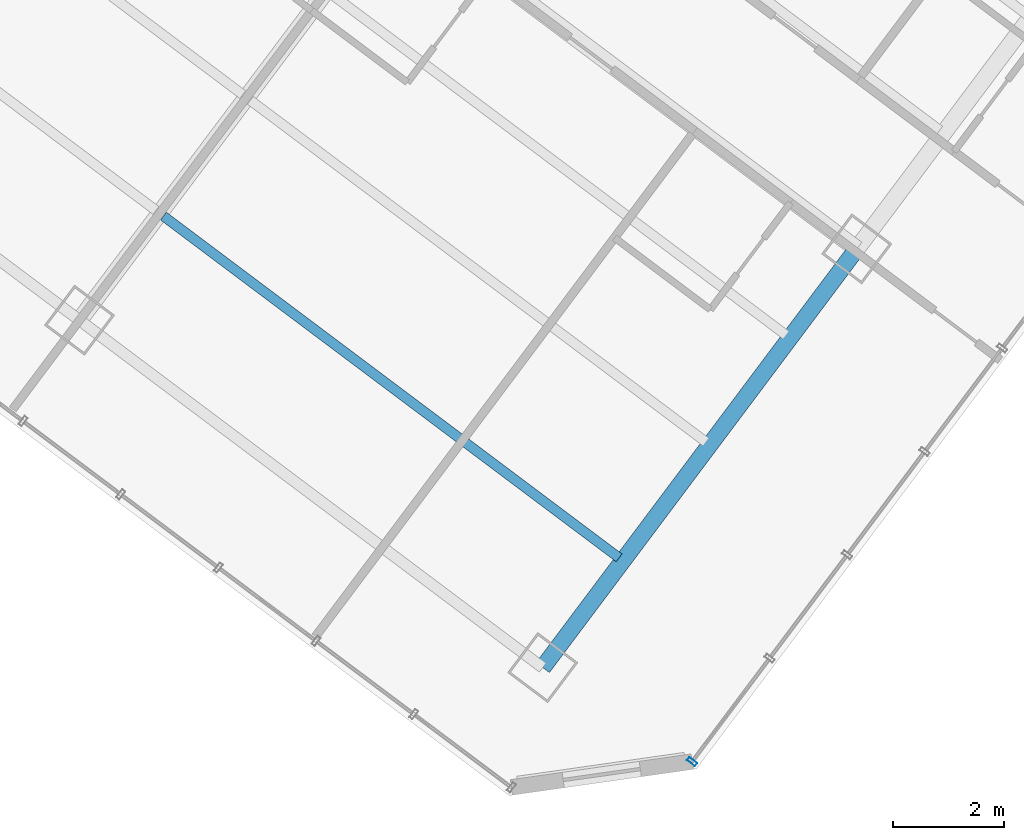
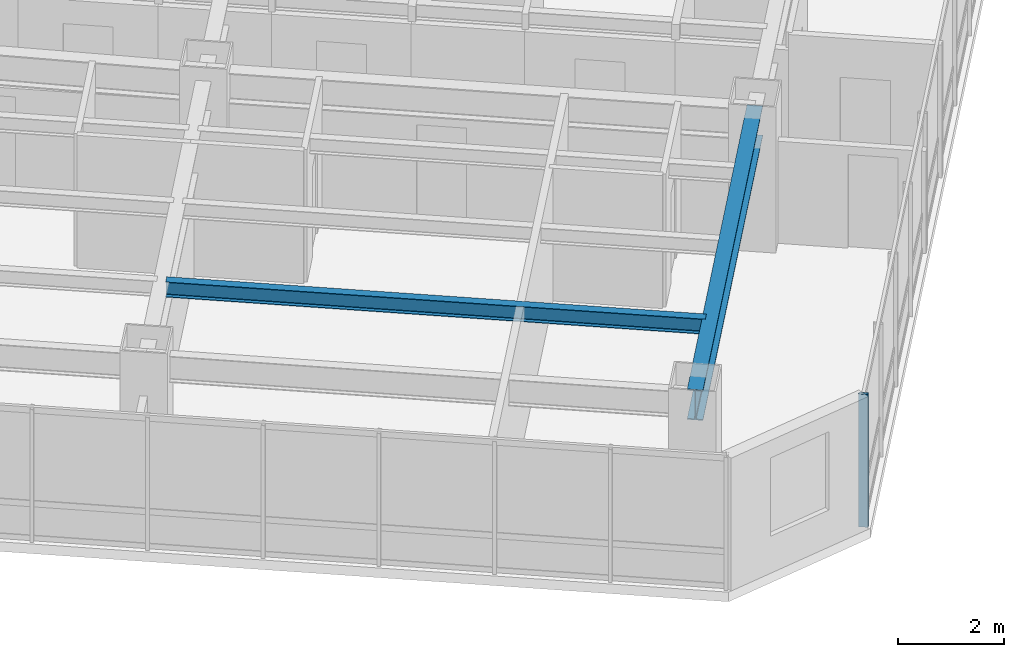
# One storey, part 12 of 36: 2 beams, 1 member, 1 element without a shape of its own.
"""IFC4 building model written with IfcOpenShell, lengths in metres."""

from ifc_helpers import new_model, si_unit, direction, frame, origin, origin_2d, place, context, subcontext, project, spatial, hollow_rectangle, i_section, extrude, material, layer, layer_set, material_profile, profile_set, type_object, element, aggregate, save


model = new_model("IFC4")

# Units and contexts
model_context = context("Model", 3, precision=1e-05, world=origin(), true_north=direction((0.0, 1.0)))
body_context = subcontext(model_context, "Body", "Model", "MODEL_VIEW")
ifc_project = project(units=[si_unit("LENGTHUNIT", "METRE"), si_unit("AREAUNIT", "SQUARE_METRE"), si_unit("VOLUMEUNIT", "CUBIC_METRE"), si_unit("PLANEANGLEUNIT", "RADIAN"), si_unit("MASSUNIT", "GRAM", prefix="KILO")], contexts=[model_context])

# Site, building, storey
site_placement = place(None, origin())
site = spatial("IfcSite", under=ifc_project, at=site_placement, CompositionType="ELEMENT")
building_placement = place(site_placement, origin())
building = spatial("IfcBuilding", under=site, at=building_placement, Name="Hatsunagi Terrace Concourse", CompositionType="ELEMENT")
storey_placement = place(building_placement, frame((0.0, 0.0, 88.0)))
storey = spatial("IfcBuildingStorey", under=building, at=storey_placement, Name="L23", CompositionType="ELEMENT", Elevation=88.0)

# Curtain wall, member
ifc_material_1 = material(Name="Anodised Aluminium Alloy 6063-T5", Category="aluminium")
ifc_layer = layer(ifc_material_1, 0.199951171875)
ifc_layer_set = layer_set([ifc_layer], Name="HotelFacade_CW02")
curtain_wall_type = type_object("IfcCurtainWallType", Name="HotelFacade_CW02", PredefinedType="NOTDEFINED", material=ifc_layer_set)
curtain_wall_placement = place(storey_placement, origin())
curtain_wall = element("IfcCurtainWall", 1, at=curtain_wall_placement, inside=storey, type_object=curtain_wall_type, Name="Unitised Curtain Wall CW-02 CW-L23-03", PredefinedType="NOTDEFINED")
ifc_material_2 = material(Name="Anodised Aluminium Alloy 6063-T5", Category="aluminium")
ifc_material_profile_1 = material_profile(ifc_material_2, hollow_rectangle(XDim=0.070068359375, YDim=0.179931640625, WallThickness=0.00390625, at=origin_2d()), Name="ALU-MUL-180x70x4")
ifc_profile_set_1 = profile_set([ifc_material_profile_1], Name="Anodised Aluminium Alloy 6063-T5")
member_type = type_object("IfcMemberType", Name="CurtainWallMullion_180x70", PredefinedType="MULLION", material=ifc_profile_set_1)
member_placement = place(storey_placement, frame((56.56298828125, 2.949951171875, 0.0), z_axis=(0.0, 0.0, 1.0), x_axis=(-0.599969314634, -0.800023013105, 0.0)))
member = element("IfcMember", 2, at=member_placement, type_object=member_type, Name="Curtain Wall Mullion MUL-02", PredefinedType="MULLION", context=body_context, shape_type="SweptSolid", body=[
    extrude(hollow_rectangle(XDim=0.070068359375, YDim=0.179931640625, WallThickness=0.00390625, at=origin_2d()), origin(), (0.0, 0.0, 1.0), 3.050048828125),
])
aggregate(curtain_wall, [member])

# Beams
ifc_material_3 = material(Name="Steel SN490B", Category="steel")
ifc_material_profile_2 = material_profile(ifc_material_3, i_section(OverallWidth=0.300048828125, OverallDepth=0.699951171875, WebThickness=0.012939453125, FlangeThickness=0.02392578125, FilletRadius=0.02197265625, at=origin_2d()), Name="H-700x300x13x24")
ifc_profile_set_2 = profile_set([ifc_material_profile_2], Name="Steel SN490B")
beam_type_1 = type_object("IfcBeamType", Name="HotelFloorGirder_H_700x300", PredefinedType="BEAM", material=ifc_profile_set_2)
beam_1_placement = place(storey_placement, frame((53.8798828125, 4.639892578125, 2.699951171875), z_axis=(0.600008311051, 0.799993766644, 0.0), x_axis=(-0.799993766644, 0.600008311051, 0.0)))
element("IfcBeam", 3, at=beam_1_placement, inside=storey, type_object=beam_type_1, Name="Beam G-04 BM-L23-SET-3A", PredefinedType="BEAM", context=body_context, shape_type="SweptSolid", body=[
    extrude(i_section(OverallWidth=0.300048828125, OverallDepth=0.699951171875, WebThickness=0.012939453125, FlangeThickness=0.02392578125, FilletRadius=0.02197265625, at=origin_2d()), origin(), (0.0, 0.0, 1.0), 9.400146484375),
])
ifc_material_4 = material(Name="Steel SN490B", Category="steel")
ifc_material_profile_3 = material_profile(ifc_material_4, i_section(OverallWidth=0.175048828125, OverallDepth=0.35009765625, WebThickness=0.007080078125, FlangeThickness=0.010986328125, FilletRadius=0.012939453125, at=origin_2d()), Name="H-350x175x7x11")
ifc_profile_set_3 = profile_set([ifc_material_profile_3], Name="Steel SN490B")
beam_type_2 = type_object("IfcBeamType", Name="HotelJoist_H_350x175", PredefinedType="JOIST", material=ifc_profile_set_3)
beam_2_placement = place(storey_placement, frame((47.068115234375, 12.7490234375, 2.875), z_axis=(0.799997136125, -0.600003818481, 0.0), x_axis=(0.600003818481, 0.799997136125, 0.0)))
element("IfcBeam", 4, at=beam_2_placement, inside=storey, type_object=beam_type_2, Name="Beam J-02 J-L23-SE-3-46", PredefinedType="JOIST", context=body_context, shape_type="SweptSolid", body=[
    extrude(i_section(OverallWidth=0.175048828125, OverallDepth=0.35009765625, WebThickness=0.007080078125, FlangeThickness=0.010986328125, FilletRadius=0.012939453125, at=origin_2d()), origin(), (0.0, 0.0, 1.0), 10.229736328125),
])

save(model, "model.ifc")
